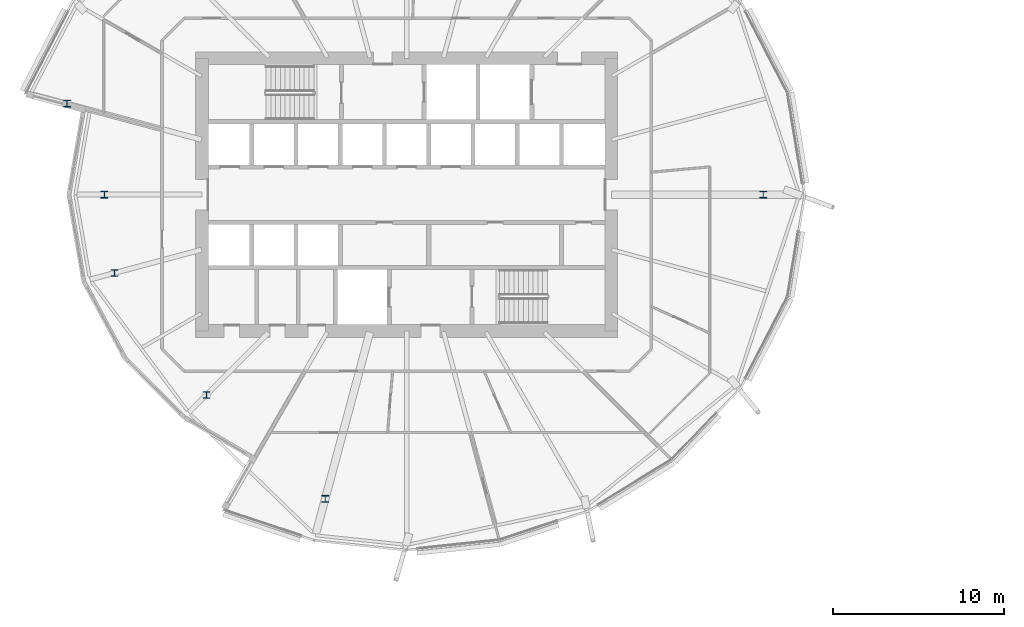
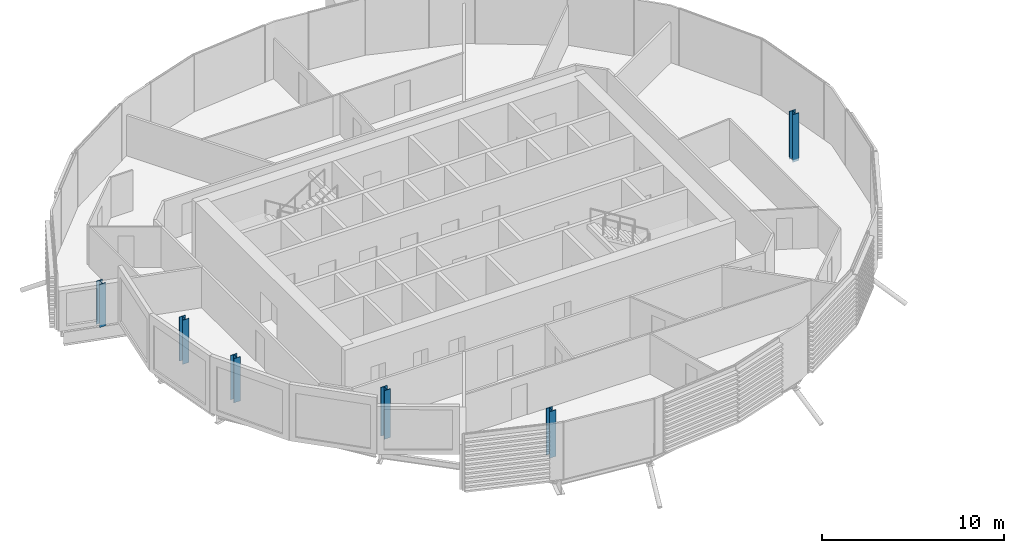
# One storey, part 1 of 38: 6 columns.
"""IFC4 building model written with IfcOpenShell, lengths in metres."""

import ifcopenshell
import ifcopenshell.guid

model = None  # the IFC model being written
_history = None  # IfcOwnerHistory: only IFC2X3 demands one
_inside = {}  # id of a spatial element -> (the spatial element, [elements in it])
_under = {}  # id of a project, library or spatial element -> (it, [spatial elements below it])
_declared = {}  # id of a project -> (the project, [libraries it declares])
_typed = {}  # id of a type object -> (the type object, [elements of that type])
_made_of = {}  # id of a material, layer set ... -> (it, [elements and type objects made of it])


def new_model(schema):
    """Start an empty IFC model of exactly this schema.

    Asked for "IFC4X3", IfcOpenShell would pick the latest addendum, in which some entities
    have other attributes; the version numbers below select the first issue.
    IFC2X3 requires an IfcOwnerHistory on every rooted entity: one is made here for all.
    """
    global model, _history
    if schema == "IFC4X3":
        model = ifcopenshell.file(schema_version=(4, 3, 0, 0))
    else:
        model = ifcopenshell.file(schema=schema)
    _inside.clear()
    _under.clear()
    _declared.clear()
    _typed.clear()
    _made_of.clear()
    _history = None
    if model.schema == "IFC2X3":
        org = make("IfcOrganization", Name="unknown")
        user = make(
            "IfcPersonAndOrganization",
            ThePerson=make("IfcPerson", FamilyName="unknown"),
            TheOrganization=org,
        )
        app = make(
            "IfcApplication",
            ApplicationDeveloper=org,
            Version="unknown",
            ApplicationFullName="unknown",
            ApplicationIdentifier="unknown",
        )
        _history = make(
            "IfcOwnerHistory",
            OwningUser=user,
            OwningApplication=app,
            ChangeAction="ADDED",
            CreationDate=0,
        )
    return model


def make(cls, **values):
    """One entity of the class cls with the attributes given. An attribute that is None is left unset."""
    return model.create_entity(
        cls, **{name: value for name, value in values.items() if value is not None}
    )


def rooted(cls, **values):
    """An entity with a GlobalId (a new one), such as an element, a storey or a relation."""
    return make(cls, GlobalId=ifcopenshell.guid.new(), OwnerHistory=_history, **values)


def si_unit(unit_type, name, prefix=None):
    """IfcSIUnit, for example si_unit("LENGTHUNIT", "METRE", prefix="MILLI")."""
    return make("IfcSIUnit", UnitType=unit_type, Prefix=prefix, Name=name)


def assignment(units):
    """IfcUnitAssignment: the units of a project."""
    return None if units is None else make("IfcUnitAssignment", Units=units)


def point(xyz):
    """IfcCartesianPoint."""
    return None if xyz is None else make("IfcCartesianPoint", Coordinates=xyz)


def direction(xyz):
    """IfcDirection."""
    return None if xyz is None else make("IfcDirection", DirectionRatios=xyz)


def frame(location, z_axis=None, x_axis=None):
    """IfcAxis2Placement3D, a coordinate frame: its origin and axes. An axis left out is left unset."""
    return make(
        "IfcAxis2Placement3D",
        Location=point(location),
        Axis=direction(z_axis),
        RefDirection=direction(x_axis),
    )


def frame_2d(location, x_axis=None):
    """IfcAxis2Placement2D, a coordinate frame in the plane: its origin and x axis."""
    return make(
        "IfcAxis2Placement2D", Location=point(location), RefDirection=direction(x_axis)
    )


def origin():
    """The frame at (0, 0, 0) with its axes left unset."""
    return frame((0.0, 0.0, 0.0))


def origin_2d():
    """The frame at (0, 0) in the plane with its x axis left unset."""
    return frame_2d((0.0, 0.0))


def place(relative_to, where):
    """IfcLocalPlacement: puts the frame where relative to a parent placement (None: the world)."""
    return make(
        "IfcLocalPlacement", PlacementRelTo=relative_to, RelativePlacement=where
    )


def context(
    kind, dimensions, precision=None, world=None, true_north=None, identifier=None
):
    """IfcGeometricRepresentationContext, for example the 3D "Model" context."""
    return make(
        "IfcGeometricRepresentationContext",
        ContextIdentifier=identifier,
        ContextType=kind,
        CoordinateSpaceDimension=dimensions,
        Precision=precision,
        WorldCoordinateSystem=world,
        TrueNorth=true_north,
    )


def subcontext(parent, identifier, kind, view, scale=None):
    """IfcGeometricRepresentationSubContext, for example "Body" below "Model"."""
    return make(
        "IfcGeometricRepresentationSubContext",
        ContextIdentifier=identifier,
        ContextType=kind,
        ParentContext=parent,
        TargetScale=scale,
        TargetView=view,
    )


def project(units=None, contexts=None):
    """IfcProject with its units and contexts."""
    return rooted(
        "IfcProject",
        Name="project",
        RepresentationContexts=contexts,
        UnitsInContext=assignment(units),
    )


def spatial(cls, under=None, at=None, **own):
    """A site, building, storey or space (cls), placed at a placement, below another one or the project."""
    s = rooted(cls, ObjectPlacement=at, **own)
    if under is not None:
        _under.setdefault(under.id(), (under, []))[1].append(s)
    return s


def profile(cls, at=None, kind="AREA", **sizes):
    """A parametric profile (cls). Its sizes go by their IFC names, for example OverallWidth=200.0."""
    return make(cls, ProfileType=kind, Position=at, **sizes)


def i_section(**sizes):
    """IfcIShapeProfileDef."""
    return profile("IfcIShapeProfileDef", **sizes)


def extrude(swept, where, along, depth):
    """IfcExtrudedAreaSolid: the profile swept, set in the frame where, extruded along a direction by depth."""
    return make(
        "IfcExtrudedAreaSolid",
        SweptArea=swept,
        Position=where,
        ExtrudedDirection=direction(along),
        Depth=depth,
    )


def shape(context_of_items, identifier, shape_type, items):
    """IfcShapeRepresentation: the items that make up one representation, for example the "Body"."""
    return make(
        "IfcShapeRepresentation",
        ContextOfItems=context_of_items,
        RepresentationIdentifier=identifier,
        RepresentationType=shape_type,
        Items=items,
    )


def material(Name=None, Category=None):
    """IfcMaterial."""
    return make("IfcMaterial", Name=Name, Category=Category)


def material_profile(
    of_material, cross_section, Name=None, Category=None, Priority=None
):
    """IfcMaterialProfile: a cross section and its material."""
    return make(
        "IfcMaterialProfile",
        Name=Name,
        Material=of_material,
        Profile=cross_section,
        Priority=Priority,
        Category=Category,
    )


def profile_set(profiles, Name=None, composite=None):
    """IfcMaterialProfileSet."""
    return make(
        "IfcMaterialProfileSet",
        Name=Name,
        MaterialProfiles=profiles,
        CompositeProfile=composite,
    )


def made_of(thing, what):
    """Note that an element or type object is made of a material, layer set ...; save() writes the relation."""
    if what is not None:
        _made_of.setdefault(what.id(), (what, []))[1].append(thing)
    return thing


def type_object(cls, material=None, **own):
    """A type object (cls), such as IfcWallType, which elements share."""
    return made_of(rooted(cls, **own), material)


def element(
    cls,
    number,
    at=None,
    inside=None,
    cuts=None,
    type_object=None,
    material=None,
    context=None,
    identifier="Body",
    shape_type=None,
    held_by="IfcProductDefinitionShape",
    body=None,
    shapes=None,
    **own,
):
    """One element of the class cls, such as IfcWall. Its Tag is "e" and its number.

    at: its placement. inside: the storey or other place that contains it. cuts: it is an
    opening in that element (IfcRelVoidsElement). A single representation is given by context,
    identifier, shape_type and body (its items); several are given by shapes. held_by: the class
    of the entity that holds the representations. save() writes the other relations.
    """
    e = rooted(cls, Tag="e%d" % number, ObjectPlacement=at, **own)
    if body is not None:
        shapes = [shape(context, identifier, shape_type, body)]
    if shapes is not None:
        e.Representation = make(held_by, Representations=shapes)
    if inside is not None:
        _inside.setdefault(inside.id(), (inside, []))[1].append(e)
    if cuts is not None:
        rooted(
            "IfcRelVoidsElement", RelatingBuildingElement=cuts, RelatedOpeningElement=e
        )
    if type_object is not None:
        _typed.setdefault(type_object.id(), (type_object, []))[1].append(e)
    return made_of(e, material)


def aggregate(whole, parts):
    """IfcRelAggregates: a whole, such as a stair, and the parts it consists of."""
    return rooted("IfcRelAggregates", RelatingObject=whole, RelatedObjects=parts)


def save(model, path):
    """Write the relations noted so far, then the file.

    IfcRelAggregates (storeys below a building ...), IfcRelContainedInSpatialStructure (elements
    in a storey), IfcRelDefinesByType, IfcRelAssociatesMaterial and IfcRelDeclares: one each for
    every whole, place, type object, material and project.
    """
    for whole, parts in _under.values():
        aggregate(whole, parts)
    for where, things in _inside.values():
        rooted(
            "IfcRelContainedInSpatialStructure",
            RelatedElements=things,
            RelatingStructure=where,
        )
    for kind, things in _typed.values():
        rooted("IfcRelDefinesByType", RelatedObjects=things, RelatingType=kind)
    for what, things in _made_of.values():
        rooted("IfcRelAssociatesMaterial", RelatedObjects=things, RelatingMaterial=what)
    for by, libraries in _declared.values():
        rooted("IfcRelDeclares", RelatingContext=by, RelatedDefinitions=libraries)
    model.write(path)


model = new_model("IFC4")

# Units and contexts
model_context = context("Model", 3, precision=1e-05, world=origin(), true_north=direction((0.0, 1.0)))
body_context = subcontext(model_context, "Body", "Model", "MODEL_VIEW")
ifc_project = project(units=[si_unit("LENGTHUNIT", "METRE"), si_unit("AREAUNIT", "SQUARE_METRE"), si_unit("VOLUMEUNIT", "CUBIC_METRE"), si_unit("PLANEANGLEUNIT", "RADIAN"), si_unit("MASSUNIT", "GRAM", prefix="KILO")], contexts=[model_context])

# Site, building, storey
site_placement = place(None, origin())
site = spatial("IfcSite", under=ifc_project, at=site_placement, CompositionType="ELEMENT")
building_placement = place(site_placement, origin())
building = spatial("IfcBuilding", under=site, at=building_placement, Name="Rimbun Link Towers", CompositionType="ELEMENT")
storey_placement = place(building_placement, frame((0.0, 0.0, 108.199951171875)))
storey = spatial("IfcBuildingStorey", under=building, at=storey_placement, Name="L26", CompositionType="ELEMENT", Elevation=108.199951171875)

# Columns
ifc_material = material(Name="Steel S355J2", Category="steel")
ifc_material_profile = material_profile(ifc_material, i_section(OverallWidth=0.39892578125, OverallDepth=0.3935546875, WebThickness=0.022705078125, FlangeThickness=0.03662109375, at=origin_2d()), Name="UC 356x406x287")
ifc_profile_set = profile_set([ifc_material_profile], Name="Steel S355J2")
column_type = type_object("IfcColumnType", Name="UC 356x406x287", PredefinedType="COLUMN", material=ifc_profile_set)
column_1_placement = place(storey_placement, frame((-10.845703125, 0.0, -0.159912109375), z_axis=(0.0, 0.0, 1.0), x_axis=(1.0, 0.0, 0.0)))
element("IfcColumn", 1, at=column_1_placement, inside=storey, type_object=column_type, Name="Crease post T1 L26 00", PredefinedType="COLUMN", context=body_context, shape_type="SweptSolid", body=[
    extrude(i_section(OverallWidth=0.39892578125, OverallDepth=0.3935546875, WebThickness=0.022705078125, FlangeThickness=0.03662109375, at=origin_2d()), origin(), (0.0, 0.0, 1.0), 3.197265625),
])
column_2_placement = place(storey_placement, frame((-51.661376953125, 5.335205078125, -0.159912109375), z_axis=(0.0, 0.0, 1.0), x_axis=(1.0, 0.0, 0.0)))
element("IfcColumn", 2, at=column_2_placement, inside=storey, type_object=column_type, Name="Crease post T1 L26 11", PredefinedType="COLUMN", context=body_context, shape_type="SweptSolid", body=[
    extrude(i_section(OverallWidth=0.39892578125, OverallDepth=0.3935546875, WebThickness=0.022705078125, FlangeThickness=0.03662109375, at=origin_2d()), origin(), (0.0, 0.0, 1.0), 2.881591796875),
])
for number, where, z_axis, x_axis, name in (
    (3, (-49.4814453125, 0.0, -0.159912109375), (0.0, 0.0, 1.0), (1.0, 0.0, 0.0), "Crease post T1 L26 12"),
    (4, (-48.882080078125, -4.590576171875, -0.159912109375), (0.0, 0.0, 1.0), (1.0, 0.0, 0.0), "Crease post T1 L26 13"),
):
    element("IfcColumn", number, at=place(storey_placement, frame(where, z_axis=z_axis, x_axis=x_axis)), inside=storey, type_object=column_type, Name=name, PredefinedType="COLUMN", context=body_context, shape_type="SweptSolid", body=[
        extrude(i_section(OverallWidth=0.39892578125, OverallDepth=0.3935546875, WebThickness=0.022705078125, FlangeThickness=0.03662109375, at=origin_2d()), origin(), (0.0, 0.0, 1.0), 2.959228515625),
    ])
column_3_placement = place(storey_placement, frame((-43.488525390625, -11.738525390625, -0.159912109375), z_axis=(0.0, 0.0, 1.0), x_axis=(1.0, 0.0, 0.0)))
element("IfcColumn", 5, at=column_3_placement, inside=storey, type_object=column_type, Name="Crease post T1 L26 15", PredefinedType="COLUMN", context=body_context, shape_type="SweptSolid", body=[
    extrude(i_section(OverallWidth=0.39892578125, OverallDepth=0.3935546875, WebThickness=0.022705078125, FlangeThickness=0.03662109375, at=origin_2d()), origin(), (0.0, 0.0, 1.0), 3.266845703125),
])
column_4_placement = place(storey_placement, frame((-36.5283203125, -17.83251953125, -0.159912109375), z_axis=(0.0, 0.0, 1.0), x_axis=(1.0, 0.0, 0.0)))
element("IfcColumn", 6, at=column_4_placement, inside=storey, type_object=column_type, Name="Crease post T1 L26 17", PredefinedType="COLUMN", context=body_context, shape_type="SweptSolid", body=[
    extrude(i_section(OverallWidth=0.39892578125, OverallDepth=0.3935546875, WebThickness=0.022705078125, FlangeThickness=0.03662109375, at=origin_2d()), origin(), (0.0, 0.0, 1.0), 3.116455078125),
])

save(model, "model.ifc")
